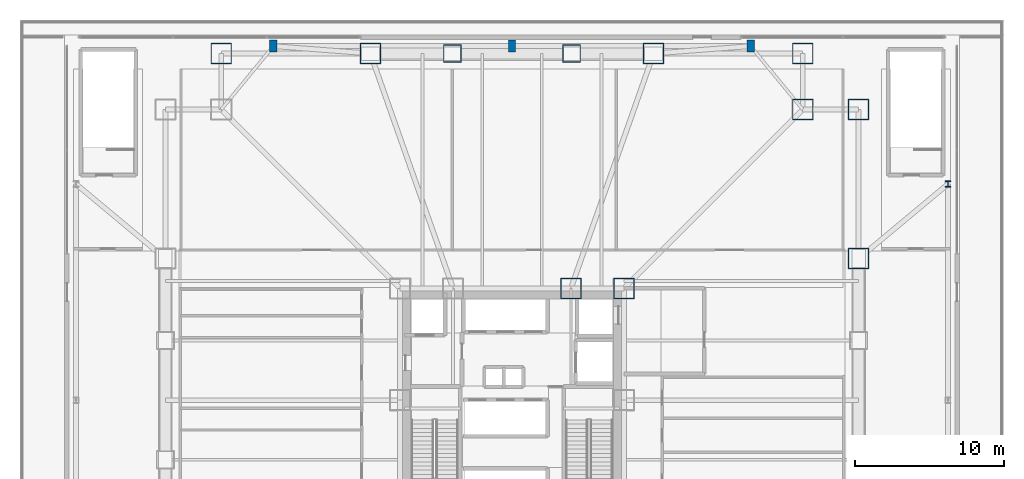
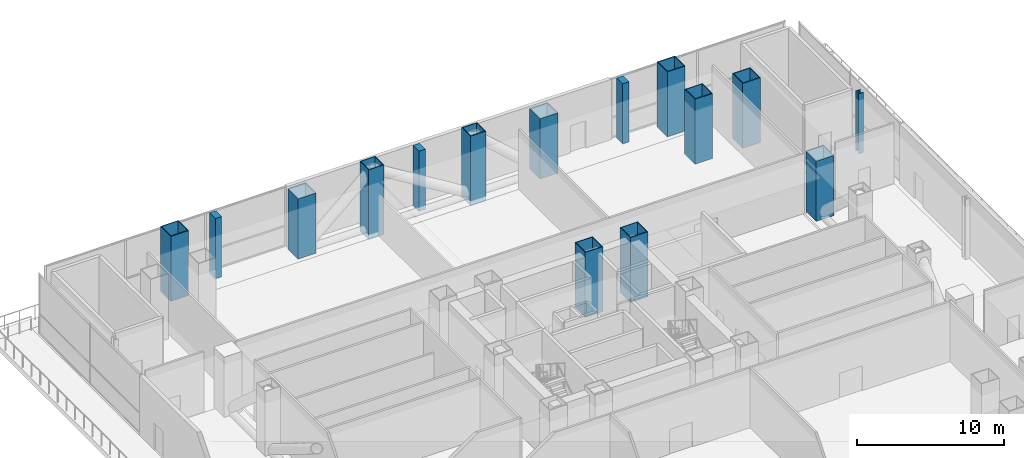
# One storey, part 2 of 21: 15 columns.
"""IFC4 building model written with IfcOpenShell, lengths in metres."""

from ifc_helpers import new_model, si_unit, direction, frame, origin, origin_2d, place, context, subcontext, project, spatial, rectangle, hollow_rectangle, i_section, extrude, material, material_profile, profile_set, type_object, element, save


model = new_model("IFC4")

# Units and contexts
model_context = context("Model", 3, precision=1e-05, world=origin(), true_north=direction((0.0, 1.0)))
body_context = subcontext(model_context, "Body", "Model", "MODEL_VIEW")
ifc_project = project(units=[si_unit("LENGTHUNIT", "METRE"), si_unit("AREAUNIT", "SQUARE_METRE"), si_unit("VOLUMEUNIT", "CUBIC_METRE"), si_unit("PLANEANGLEUNIT", "RADIAN"), si_unit("MASSUNIT", "GRAM", prefix="KILO")], contexts=[model_context])

# Site, building, storey
site_placement = place(None, origin())
site = spatial("IfcSite", under=ifc_project, at=site_placement, CompositionType="ELEMENT")
building_placement = place(site_placement, origin())
building = spatial("IfcBuilding", under=site, at=building_placement, Name="Trevonay Congress Spire", CompositionType="ELEMENT")
storey_placement = place(building_placement, frame((0.0, 0.0, 21.60009765625)))
storey = spatial("IfcBuildingStorey", under=building, at=storey_placement, Name="L04", CompositionType="ELEMENT", Elevation=21.60009765625)

# Columns
ifc_material_1 = material(Name="Steel ASTM A572 Grade 50", Category="steel")
ifc_material_profile_1 = material_profile(ifc_material_1, hollow_rectangle(XDim=1.199951171875, YDim=1.199951171875, WallThickness=0.054931640625, at=origin_2d()), Name="BOX 1200x1200x55")
ifc_profile_set_1 = profile_set([ifc_material_profile_1], Name="Steel ASTM A572 Grade 50")
column_type_1 = type_object("IfcColumnType", Name="COL-CORE-BOX1200", PredefinedType="COLUMN", material=ifc_profile_set_1)
for number, where, z_axis, x_axis, name in (
    (1, (-4.0, 23.25, -0.400146484375), (0.0, 0.0, 1.0), (1.0, 0.0, 0.0), "L04 column C02 at TP-N3"),
    (2, (4.0, 23.25, -0.400146484375), (0.0, 0.0, 1.0), (1.0, 0.0, 0.0), "L04 column C02 at TP-N4"),
):
    element("IfcColumn", number, at=place(storey_placement, frame(where, z_axis=z_axis, x_axis=x_axis)), inside=storey, type_object=column_type_1, Name=name, PredefinedType="COLUMN", context=body_context, shape_type="SweptSolid", body=[
        extrude(hollow_rectangle(XDim=1.199951171875, YDim=1.199951171875, WallThickness=0.054931640625, at=origin_2d()), origin(), (0.0, 0.0, 1.0), 5.800048828125),
    ])
ifc_material_profile_2 = material_profile(ifc_material_1, hollow_rectangle(XDim=1.39990234375, YDim=1.39990234375, WallThickness=0.06005859375, at=origin_2d()), Name="BOX 1400x1400x60")
ifc_profile_set_2 = profile_set([ifc_material_profile_2], Name="Steel ASTM A572 Grade 50")
column_type_2 = type_object("IfcColumnType", Name="COL-CORE-BOX1400", PredefinedType="COLUMN", material=ifc_profile_set_2)
for number, where, z_axis, x_axis, name in (
    (3, (7.5, 7.5, 0.0), (0.0, 0.0, 1.0), (1.0, 0.0, 0.0), "L04 column C01 at CC-NE"),
    (4, (3.949951171875, 7.5, 0.0), (0.0, 0.0, 1.0), (1.0, 0.0, 0.0), "L04 column C01 at CC-NME"),
    (5, (-19.5, 23.25, 0.0), (0.0, 0.0, 1.0), (1.0, 0.0, 0.0), "L04 column C01 at TM-N1"),
):
    element("IfcColumn", number, at=place(storey_placement, frame(where, z_axis=z_axis, x_axis=x_axis)), inside=storey, type_object=column_type_2, Name=name, PredefinedType="COLUMN", context=body_context, shape_type="SweptSolid", body=[
        extrude(hollow_rectangle(XDim=1.39990234375, YDim=1.39990234375, WallThickness=0.06005859375, at=origin_2d()), origin(), (0.0, 0.0, 1.0), 5.39990234375),
    ])
for number, where, z_axis, x_axis, name in (
    (6, (-9.5, 23.25, 0.0), (0.0, 0.0, 1.0), (1.0, 0.0, 0.0), "L04 column C01 at TM-N2"),
    (7, (9.5, 23.25, 0.0), (0.0, 0.0, 1.0), (1.0, 0.0, 0.0), "L04 column C01 at TM-N5"),
):
    element("IfcColumn", number, at=place(storey_placement, frame(where, z_axis=z_axis, x_axis=x_axis)), inside=storey, type_object=column_type_2, Name=name, PredefinedType="COLUMN", context=body_context, shape_type="SweptSolid", body=[
        extrude(hollow_rectangle(XDim=1.39990234375, YDim=1.39990234375, WallThickness=0.06005859375, at=origin_2d()), origin(), (0.0, 0.0, 1.0), 5.0),
    ])
column_1_placement = place(storey_placement, frame((19.5, 23.25, 0.0), z_axis=(0.0, 0.0, 1.0), x_axis=(1.0, 0.0, 0.0)))
element("IfcColumn", 8, at=column_1_placement, inside=storey, type_object=column_type_2, Name="L04 column C01 at TM-N6", PredefinedType="COLUMN", context=body_context, shape_type="SweptSolid", body=[
    extrude(hollow_rectangle(XDim=1.39990234375, YDim=1.39990234375, WallThickness=0.06005859375, at=origin_2d()), origin(), (0.0, 0.0, 1.0), 5.39990234375),
])
column_2_placement = place(storey_placement, frame((23.25, 9.5, 0.0), z_axis=(0.0, 0.0, 1.0), x_axis=(1.0, 0.0, 0.0)))
element("IfcColumn", 9, at=column_2_placement, inside=storey, type_object=column_type_2, Name="L04 column C01 at TM-E5", PredefinedType="COLUMN", context=body_context, shape_type="SweptSolid", body=[
    extrude(hollow_rectangle(XDim=1.39990234375, YDim=1.39990234375, WallThickness=0.06005859375, at=origin_2d()), origin(), (0.0, 0.0, 1.0), 5.0),
])
for number, where, z_axis, x_axis, name in (
    (10, (23.25, 19.5, 0.0), (0.0, 0.0, 1.0), (1.0, 0.0, 0.0), "L04 column C01 at TM-E6"),
    (11, (19.5, 19.5, 0.0), (0.0, 0.0, 1.0), (1.0, 0.0, 0.0), "L04 column C01 at TM-CNE"),
):
    element("IfcColumn", number, at=place(storey_placement, frame(where, z_axis=z_axis, x_axis=x_axis)), inside=storey, type_object=column_type_2, Name=name, PredefinedType="COLUMN", context=body_context, shape_type="SweptSolid", body=[
        extrude(hollow_rectangle(XDim=1.39990234375, YDim=1.39990234375, WallThickness=0.06005859375, at=origin_2d()), origin(), (0.0, 0.0, 1.0), 5.39990234375),
    ])
ifc_material_2 = material(Name="Concrete C60/75", Category="concrete")
ifc_material_profile_3 = material_profile(ifc_material_2, rectangle(XDim=0.5, YDim=0.800048828125, at=origin_2d()), Name="RC 800x500")
ifc_profile_set_3 = profile_set([ifc_material_profile_3], Name="Concrete C60/75")
column_type_3 = type_object("IfcColumnType", Name="COL-PIL-RC800X500", PredefinedType="PILASTER", material=ifc_profile_set_3)
for number, where, z_axis, x_axis, name in (
    (12, (-16.0, 23.75, 0.0), (0.0, 0.0, 1.0), (1.0, 0.0, 0.0), "L04 column C13 at PN-1"),
    (13, (0.0, 23.75, 0.0), (0.0, 0.0, 1.0), (1.0, 0.0, 0.0), "L04 column C13 at PN-2"),
    (14, (16.0, 23.75, 0.0), (0.0, 0.0, 1.0), (1.0, 0.0, 0.0), "L04 column C13 at PN-3"),
):
    element("IfcColumn", number, at=place(storey_placement, frame(where, z_axis=z_axis, x_axis=x_axis)), inside=storey, type_object=column_type_3, Name=name, PredefinedType="PILASTER", context=body_context, shape_type="SweptSolid", body=[
        extrude(rectangle(XDim=0.5, YDim=0.800048828125, at=origin_2d()), origin(), (0.0, 0.0, 1.0), 5.0),
    ])
ifc_material_profile_4 = material_profile(ifc_material_1, i_section(OverallWidth=0.367919921875, OverallDepth=0.425048828125, WebThickness=0.02978515625, FlangeThickness=0.047607421875, FilletRadius=0.02001953125, at=origin_2d()), Name="W360x421")
ifc_profile_set_4 = profile_set([ifc_material_profile_4], Name="Steel ASTM A572 Grade 50")
column_type_4 = type_object("IfcColumnType", Name="COL-POD-W360X421", PredefinedType="COLUMN", material=ifc_profile_set_4)
column_3_placement = place(storey_placement, frame((29.25, 14.5, 0.0), z_axis=(0.0, 0.0, 1.0), x_axis=(1.0, 0.0, 0.0)))
element("IfcColumn", 15, at=column_3_placement, inside=storey, type_object=column_type_4, Name="L04 column C08 at PE-3", PredefinedType="COLUMN", context=body_context, shape_type="SweptSolid", body=[
    extrude(i_section(OverallWidth=0.367919921875, OverallDepth=0.425048828125, WebThickness=0.02978515625, FlangeThickness=0.047607421875, FilletRadius=0.02001953125, at=origin_2d()), origin(), (0.0, 0.0, 1.0), 5.0),
])

save(model, "model.ifc")
